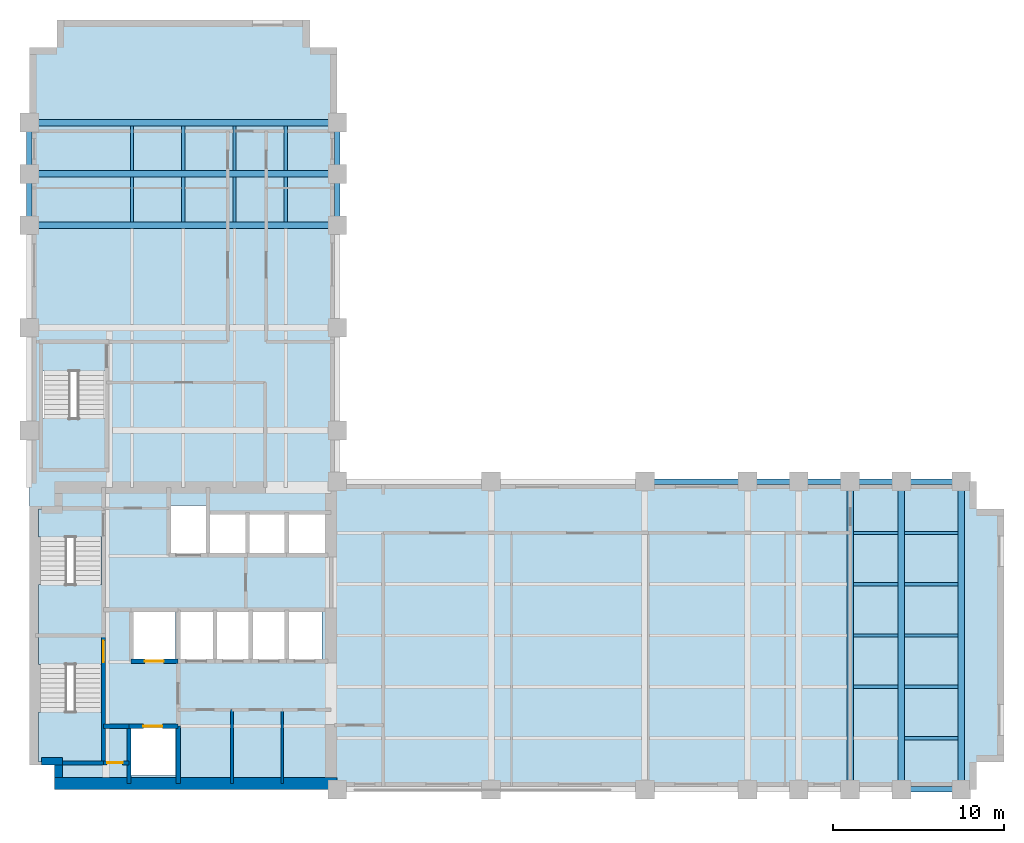
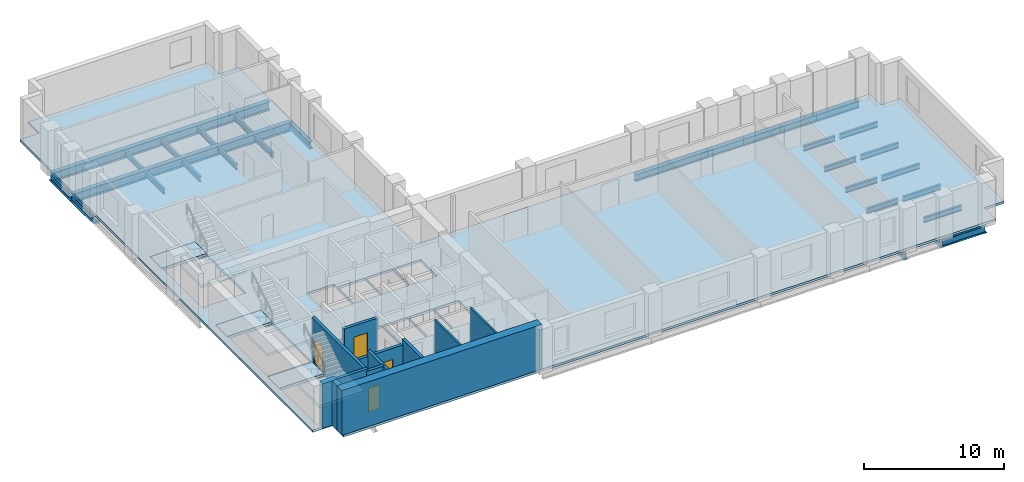
# One storey, part 2 of 7: 33 beams, 13 walls, 7 slabs, 4 doors, 4 openings, 3 elements without a shape of their own.
"""IFC4 building model written with IfcOpenShell, lengths in metres."""

from ifc_helpers import new_model, si_unit, direction, frame, frame_2d, origin, origin_2d, place, context, subcontext, project, spatial, polyline, rectangle, i_section, outline, extrude, material, layer, layer_set, material_profile, profile_set, type_object, element, fill, aggregate, save


model = new_model("IFC4")

# Units and contexts
model_context = context("Model", 3, precision=1e-05, world=origin(), true_north=direction((0.0, 1.0)))
body_context = subcontext(model_context, "Body", "Model", "MODEL_VIEW")
ifc_project = project(units=[si_unit("LENGTHUNIT", "METRE"), si_unit("AREAUNIT", "SQUARE_METRE"), si_unit("VOLUMEUNIT", "CUBIC_METRE"), si_unit("PLANEANGLEUNIT", "RADIAN"), si_unit("MASSUNIT", "GRAM", prefix="KILO")], contexts=[model_context])

# Site, building, storey
site_placement = place(None, origin())
site = spatial("IfcSite", under=ifc_project, at=site_placement, CompositionType="ELEMENT")
building_placement = place(site_placement, origin())
building = spatial("IfcBuilding", under=site, at=building_placement, Name="Mawjdan Bourse Tower", CompositionType="ELEMENT")
storey_placement = place(building_placement, frame((0.0, 0.0, 105.0)))
storey = spatial("IfcBuildingStorey", under=building, at=storey_placement, Name="L24", CompositionType="ELEMENT", Elevation=105.0)

# Beams
ifc_material_1 = material(Name="Structural Steel S355", Category="steel")
ifc_material_profile_1 = material_profile(ifc_material_1, i_section(OverallWidth=0.381103515625, OverallDepth=0.77294921875, WebThickness=0.0166015625, FlangeThickness=0.027099609375, FilletRadius=0.021728515625, at=origin_2d()), Name="W30X173")
ifc_profile_set_1 = profile_set([ifc_material_profile_1], Name="Structural Steel S355")
beam_type_1 = type_object("IfcBeamType", Name="GRD-W30X173", PredefinedType="BEAM", material=ifc_profile_set_1)
for number, where, z_axis, x_axis, name in (
    (1, (54.0, 3.0, -0.58642578125), (0.0, 1.0, 0.0), (-1.0, 0.0, 0.0), "L24 East Wing Clear-Span Girder 006"),
    (2, (57.0, 3.0, -0.58642578125), (0.0, 1.0, 0.0), (-1.0, 0.0, 0.0), "L24 East Wing Clear-Span Girder 007"),
    (3, (60.5, 3.0, -0.58642578125), (0.0, 1.0, 0.0), (-1.0, 0.0, 0.0), "L24 East Wing Clear-Span Girder 008"),
    (4, (6.0, 36.0, -0.58642578125), (1.0, 0.0, 0.0), (0.0, 1.0, 0.0), "L24 North Wing Clear-Span Girder 065"),
    (5, (6.0, 39.0, -0.58642578125), (1.0, 0.0, 0.0), (0.0, 1.0, 0.0), "L24 North Wing Clear-Span Girder 066"),
    (6, (6.0, 42.0, -0.58642578125), (1.0, 0.0, 0.0), (0.0, 1.0, 0.0), "L24 North Wing Clear-Span Girder 067"),
):
    element("IfcBeam", number, at=place(storey_placement, frame(where, z_axis=z_axis, x_axis=x_axis)), inside=storey, type_object=beam_type_1, Name=name, PredefinedType="BEAM", context=body_context, shape_type="SweptSolid", body=[
        extrude(i_section(OverallWidth=0.381103515625, OverallDepth=0.77294921875, WebThickness=0.0166015625, FlangeThickness=0.027099609375, FilletRadius=0.021728515625, at=origin_2d()), origin(), (0.0, 0.0, 1.0), 18.0),
    ])
ifc_material_profile_2 = material_profile(ifc_material_1, i_section(OverallWidth=0.19189453125, OverallDepth=0.462890625, WebThickness=0.010498046875, FlangeThickness=0.017578125, FilletRadius=0.01416015625, at=origin_2d()), Name="W18X60")
ifc_profile_set_2 = profile_set([ifc_material_profile_2], Name="Structural Steel S355")
beam_type_2 = type_object("IfcBeamType", Name="JST-W18X60", PredefinedType="JOIST", material=ifc_profile_set_2)
beam_1_placement = place(storey_placement, frame((57.1884765625, 6.0, -0.431396484375), z_axis=(1.0, 0.0, 0.0), x_axis=(0.0, 1.0, 0.0)))
element("IfcBeam", 7, at=beam_1_placement, inside=storey, type_object=beam_type_2, Name="L24 East Wing Composite Joist 029", PredefinedType="JOIST", context=body_context, shape_type="SweptSolid", body=[
    extrude(i_section(OverallWidth=0.19189453125, OverallDepth=0.462890625, WebThickness=0.010498046875, FlangeThickness=0.017578125, FilletRadius=0.01416015625, at=origin_2d()), origin(), (0.0, 0.0, 1.0), 3.123046875),
])
beam_2_placement = place(storey_placement, frame((54.1884765625, 9.0, -0.431396484375), z_axis=(1.0, 0.0, 0.0), x_axis=(0.0, 1.0, 0.0)))
element("IfcBeam", 8, at=beam_2_placement, inside=storey, type_object=beam_type_2, Name="L24 East Wing Composite Joist 035", PredefinedType="JOIST", context=body_context, shape_type="SweptSolid", body=[
    extrude(i_section(OverallWidth=0.19189453125, OverallDepth=0.462890625, WebThickness=0.010498046875, FlangeThickness=0.017578125, FilletRadius=0.01416015625, at=origin_2d()), origin(), (0.0, 0.0, 1.0), 2.623046875),
])
beam_3_placement = place(storey_placement, frame((57.1884765625, 9.0, -0.431396484375), z_axis=(1.0, 0.0, 0.0), x_axis=(0.0, 1.0, 0.0)))
element("IfcBeam", 9, at=beam_3_placement, inside=storey, type_object=beam_type_2, Name="L24 East Wing Composite Joist 036", PredefinedType="JOIST", context=body_context, shape_type="SweptSolid", body=[
    extrude(i_section(OverallWidth=0.19189453125, OverallDepth=0.462890625, WebThickness=0.010498046875, FlangeThickness=0.017578125, FilletRadius=0.01416015625, at=origin_2d()), origin(), (0.0, 0.0, 1.0), 3.123046875),
])
beam_4_placement = place(storey_placement, frame((54.1884765625, 12.0, -0.431396484375), z_axis=(1.0, 0.0, 0.0), x_axis=(0.0, 1.0, 0.0)))
element("IfcBeam", 10, at=beam_4_placement, inside=storey, type_object=beam_type_2, Name="L24 East Wing Composite Joist 042", PredefinedType="JOIST", context=body_context, shape_type="SweptSolid", body=[
    extrude(i_section(OverallWidth=0.19189453125, OverallDepth=0.462890625, WebThickness=0.010498046875, FlangeThickness=0.017578125, FilletRadius=0.01416015625, at=origin_2d()), origin(), (0.0, 0.0, 1.0), 2.623046875),
])
beam_5_placement = place(storey_placement, frame((57.1884765625, 12.0, -0.431396484375), z_axis=(1.0, 0.0, 0.0), x_axis=(0.0, 1.0, 0.0)))
element("IfcBeam", 11, at=beam_5_placement, inside=storey, type_object=beam_type_2, Name="L24 East Wing Composite Joist 043", PredefinedType="JOIST", context=body_context, shape_type="SweptSolid", body=[
    extrude(i_section(OverallWidth=0.19189453125, OverallDepth=0.462890625, WebThickness=0.010498046875, FlangeThickness=0.017578125, FilletRadius=0.01416015625, at=origin_2d()), origin(), (0.0, 0.0, 1.0), 3.123046875),
])
beam_6_placement = place(storey_placement, frame((54.1884765625, 15.0, -0.431396484375), z_axis=(1.0, 0.0, 0.0), x_axis=(0.0, 1.0, 0.0)))
element("IfcBeam", 12, at=beam_6_placement, inside=storey, type_object=beam_type_2, Name="L24 East Wing Composite Joist 049", PredefinedType="JOIST", context=body_context, shape_type="SweptSolid", body=[
    extrude(i_section(OverallWidth=0.19189453125, OverallDepth=0.462890625, WebThickness=0.010498046875, FlangeThickness=0.017578125, FilletRadius=0.01416015625, at=origin_2d()), origin(), (0.0, 0.0, 1.0), 2.623046875),
])
beam_7_placement = place(storey_placement, frame((57.1884765625, 15.0, -0.431396484375), z_axis=(1.0, 0.0, 0.0), x_axis=(0.0, 1.0, 0.0)))
element("IfcBeam", 13, at=beam_7_placement, inside=storey, type_object=beam_type_2, Name="L24 East Wing Composite Joist 050", PredefinedType="JOIST", context=body_context, shape_type="SweptSolid", body=[
    extrude(i_section(OverallWidth=0.19189453125, OverallDepth=0.462890625, WebThickness=0.010498046875, FlangeThickness=0.017578125, FilletRadius=0.01416015625, at=origin_2d()), origin(), (0.0, 0.0, 1.0), 3.123046875),
])
beam_8_placement = place(storey_placement, frame((54.1884765625, 18.0, -0.431396484375), z_axis=(1.0, 0.0, 0.0), x_axis=(0.0, 1.0, 0.0)))
element("IfcBeam", 14, at=beam_8_placement, inside=storey, type_object=beam_type_2, Name="L24 East Wing Composite Joist 056", PredefinedType="JOIST", context=body_context, shape_type="SweptSolid", body=[
    extrude(i_section(OverallWidth=0.19189453125, OverallDepth=0.462890625, WebThickness=0.010498046875, FlangeThickness=0.017578125, FilletRadius=0.01416015625, at=origin_2d()), origin(), (0.0, 0.0, 1.0), 2.623046875),
])
beam_9_placement = place(storey_placement, frame((57.1884765625, 18.0, -0.431396484375), z_axis=(1.0, 0.0, 0.0), x_axis=(0.0, 1.0, 0.0)))
element("IfcBeam", 15, at=beam_9_placement, inside=storey, type_object=beam_type_2, Name="L24 East Wing Composite Joist 057", PredefinedType="JOIST", context=body_context, shape_type="SweptSolid", body=[
    extrude(i_section(OverallWidth=0.19189453125, OverallDepth=0.462890625, WebThickness=0.010498046875, FlangeThickness=0.017578125, FilletRadius=0.01416015625, at=origin_2d()), origin(), (0.0, 0.0, 1.0), 3.123046875),
])
for number, where, z_axis, x_axis, name in (
    (16, (12.0, 36.1884765625, -0.431396484375), (0.0, 1.0, 0.0), (-1.0, 0.0, 0.0), "L24 North Wing Composite Joist 081"),
    (17, (12.0, 39.1884765625, -0.431396484375), (0.0, 1.0, 0.0), (-1.0, 0.0, 0.0), "L24 North Wing Composite Joist 082"),
    (18, (15.0, 36.1884765625, -0.431396484375), (0.0, 1.0, 0.0), (-1.0, 0.0, 0.0), "L24 North Wing Composite Joist 086"),
    (19, (15.0, 39.1884765625, -0.431396484375), (0.0, 1.0, 0.0), (-1.0, 0.0, 0.0), "L24 North Wing Composite Joist 087"),
    (20, (18.0, 36.1884765625, -0.431396484375), (0.0, 1.0, 0.0), (-1.0, 0.0, 0.0), "L24 North Wing Composite Joist 091"),
    (21, (18.0, 39.1884765625, -0.431396484375), (0.0, 1.0, 0.0), (-1.0, 0.0, 0.0), "L24 North Wing Composite Joist 092"),
    (22, (21.0, 36.1884765625, -0.431396484375), (0.0, 1.0, 0.0), (-1.0, 0.0, 0.0), "L24 North Wing Composite Joist 096"),
    (23, (21.0, 39.1884765625, -0.431396484375), (0.0, 1.0, 0.0), (-1.0, 0.0, 0.0), "L24 North Wing Composite Joist 097"),
):
    element("IfcBeam", number, at=place(storey_placement, frame(where, z_axis=z_axis, x_axis=x_axis)), inside=storey, type_object=beam_type_2, Name=name, PredefinedType="JOIST", context=body_context, shape_type="SweptSolid", body=[
        extrude(i_section(OverallWidth=0.19189453125, OverallDepth=0.462890625, WebThickness=0.010498046875, FlangeThickness=0.017578125, FilletRadius=0.01416015625, at=origin_2d()), origin(), (0.0, 0.0, 1.0), 2.623046875),
    ])
ifc_material_profile_3 = material_profile(ifc_material_1, i_section(OverallWidth=0.324951171875, OverallDepth=0.616943359375, WebThickness=0.013916015625, FlangeThickness=0.021484375, FilletRadius=0.017333984375, at=origin_2d()), Name="W24X117")
ifc_profile_set_3 = profile_set([ifc_material_profile_3], Name="Structural Steel S355")
beam_type_3 = type_object("IfcBeamType", Name="SPN-W24X117", PredefinedType="SPANDREL", material=ifc_profile_set_3)
beam_10_placement = place(storey_placement, frame((57.0, 3.0, -0.508544921875), z_axis=(1.0, 0.0, 0.0), x_axis=(0.0, 1.0, 0.0)))
element("IfcBeam", 24, at=beam_10_placement, inside=storey, type_object=beam_type_3, Name="L24 Perimeter Masonry-Shelf Spandrel 015", PredefinedType="SPANDREL", context=body_context, shape_type="SweptSolid", body=[
    extrude(i_section(OverallWidth=0.324951171875, OverallDepth=0.616943359375, WebThickness=0.013916015625, FlangeThickness=0.021484375, FilletRadius=0.017333984375, at=origin_2d()), origin(), (0.0, 0.0, 1.0), 3.5),
])
beam_11_placement = place(storey_placement, frame((42.0, 21.0, -0.508544921875), z_axis=(1.0, 0.0, 0.0), x_axis=(0.0, 1.0, 0.0)))
element("IfcBeam", 25, at=beam_11_placement, inside=storey, type_object=beam_type_3, Name="L24 Perimeter Masonry-Shelf Spandrel 018", PredefinedType="SPANDREL", context=body_context, shape_type="SweptSolid", body=[
    extrude(i_section(OverallWidth=0.324951171875, OverallDepth=0.616943359375, WebThickness=0.013916015625, FlangeThickness=0.021484375, FilletRadius=0.017333984375, at=origin_2d()), origin(), (0.0, 0.0, 1.0), 6.0),
])
for number, where, z_axis, x_axis, name in (
    (26, (48.0, 21.0, -0.508544921875), (1.0, 0.0, 0.0), (0.0, 1.0, 0.0), "L24 Perimeter Masonry-Shelf Spandrel 019"),
    (27, (51.0, 21.0, -0.508544921875), (1.0, 0.0, 0.0), (0.0, 1.0, 0.0), "L24 Perimeter Masonry-Shelf Spandrel 020"),
    (28, (54.0, 21.0, -0.508544921875), (1.0, 0.0, 0.0), (0.0, 1.0, 0.0), "L24 Perimeter Masonry-Shelf Spandrel 021"),
):
    element("IfcBeam", number, at=place(storey_placement, frame(where, z_axis=z_axis, x_axis=x_axis)), inside=storey, type_object=beam_type_3, Name=name, PredefinedType="SPANDREL", context=body_context, shape_type="SweptSolid", body=[
        extrude(i_section(OverallWidth=0.324951171875, OverallDepth=0.616943359375, WebThickness=0.013916015625, FlangeThickness=0.021484375, FilletRadius=0.017333984375, at=origin_2d()), origin(), (0.0, 0.0, 1.0), 3.0),
    ])
beam_12_placement = place(storey_placement, frame((57.0, 21.0, -0.508544921875), z_axis=(1.0, 0.0, 0.0), x_axis=(0.0, 1.0, 0.0)))
element("IfcBeam", 29, at=beam_12_placement, inside=storey, type_object=beam_type_3, Name="L24 Perimeter Masonry-Shelf Spandrel 022", PredefinedType="SPANDREL", context=body_context, shape_type="SweptSolid", body=[
    extrude(i_section(OverallWidth=0.324951171875, OverallDepth=0.616943359375, WebThickness=0.013916015625, FlangeThickness=0.021484375, FilletRadius=0.017333984375, at=origin_2d()), origin(), (0.0, 0.0, 1.0), 3.5),
])
for number, where, z_axis, x_axis, name in (
    (30, (6.0, 36.0, -0.508544921875), (0.0, 1.0, 0.0), (-1.0, 0.0, 0.0), "L24 North Wing Spandrel 071"),
    (31, (6.0, 39.0, -0.508544921875), (0.0, 1.0, 0.0), (-1.0, 0.0, 0.0), "L24 North Wing Spandrel 072"),
    (32, (24.0, 36.0, -0.508544921875), (0.0, 1.0, 0.0), (-1.0, 0.0, 0.0), "L24 North Wing Spandrel 076"),
    (33, (24.0, 39.0, -0.508544921875), (0.0, 1.0, 0.0), (-1.0, 0.0, 0.0), "L24 North Wing Spandrel 077"),
):
    element("IfcBeam", number, at=place(storey_placement, frame(where, z_axis=z_axis, x_axis=x_axis)), inside=storey, type_object=beam_type_3, Name=name, PredefinedType="SPANDREL", context=body_context, shape_type="SweptSolid", body=[
        extrude(i_section(OverallWidth=0.324951171875, OverallDepth=0.616943359375, WebThickness=0.013916015625, FlangeThickness=0.021484375, FilletRadius=0.017333984375, at=origin_2d()), origin(), (0.0, 0.0, 1.0), 3.0),
    ])

# Stair, slabs
ifc_material_2 = material(Name="Concrete C50/60", Category="concrete")
stair_type = type_object("IfcStairType", Name="STR-CORE-1500", PredefinedType="HALF_TURN_STAIR", material=ifc_material_2)
stair_1_placement = place(storey_placement, origin())
stair_1 = element("IfcStair", 34, at=stair_1_placement, inside=storey, type_object=stair_type, Name="L24 Exit Stair 1 (Core South-West)", PredefinedType="HALF_TURN_STAIR")
ifc_layer_1 = layer(ifc_material_2, 0.22998046875)
ifc_layer_set_1 = layer_set([ifc_layer_1], Name="Concrete C50/60")
slab_type_1 = type_object("IfcSlabType", Name="SL-LND-230", PredefinedType="LANDING", material=ifc_layer_set_1)
slab_1_placement = place(storey_placement, frame((0.0, 0.0, -0.22998046875)))
slab_1 = element("IfcSlab", 35, at=slab_1_placement, type_object=slab_type_1, Name="ST1-L24 landing 1", PredefinedType="LANDING", context=body_context, shape_type="SweptSolid", body=[
    extrude(outline(polyline([(6.5400390625, 10.31005859375), (10.260009765625, 10.31005859375), (10.260009765625, 11.969970703125), (6.5400390625, 11.969970703125), (6.5400390625, 10.31005859375)])), origin(), (0.0, 0.0, 1.0), 0.22998046875),
])
slab_2_placement = place(storey_placement, frame((0.0, 0.0, 1.719970703125)))
slab_2 = element("IfcSlab", 36, at=slab_2_placement, type_object=slab_type_1, Name="ST1-L24 landing 2", PredefinedType="LANDING", context=body_context, shape_type="SweptSolid", body=[
    extrude(outline(polyline([(6.5400390625, 4.590087890625), (10.260009765625, 4.590087890625), (10.260009765625, 7.5400390625), (6.5400390625, 7.5400390625), (6.5400390625, 4.590087890625)])), origin(), (0.0, 0.0, 1.0), 0.22998046875),
])
aggregate(stair_1, [slab_1, slab_2])

stair_2_placement = place(storey_placement, origin())
stair_2 = element("IfcStair", 37, at=stair_2_placement, inside=storey, type_object=stair_type, Name="L24 Exit Stair 2 (Core North-West)", PredefinedType="HALF_TURN_STAIR")
slab_3_placement = place(storey_placement, frame((0.0, 0.0, -0.22998046875)))
slab_3 = element("IfcSlab", 38, at=slab_3_placement, type_object=slab_type_1, Name="ST2-L24 landing 1", PredefinedType="LANDING", context=body_context, shape_type="SweptSolid", body=[
    extrude(outline(polyline([(6.5400390625, 17.75), (10.260009765625, 17.75), (10.260009765625, 19.409912109375), (6.5400390625, 19.409912109375), (6.5400390625, 17.75)])), origin(), (0.0, 0.0, 1.0), 0.22998046875),
])
slab_4_placement = place(storey_placement, frame((0.0, 0.0, 1.719970703125)))
slab_4 = element("IfcSlab", 39, at=slab_4_placement, type_object=slab_type_1, Name="ST2-L24 landing 2", PredefinedType="LANDING", context=body_context, shape_type="SweptSolid", body=[
    extrude(outline(polyline([(6.5400390625, 12.030029296875), (10.260009765625, 12.030029296875), (10.260009765625, 14.97998046875), (6.5400390625, 14.97998046875), (6.5400390625, 12.030029296875)])), origin(), (0.0, 0.0, 1.0), 0.22998046875),
])
aggregate(stair_2, [slab_3, slab_4])

stair_3_placement = place(storey_placement, origin())
stair_3 = element("IfcStair", 40, at=stair_3_placement, inside=storey, type_object=stair_type, Name="L24 Exit Stair 3 (North Wing)", PredefinedType="HALF_TURN_STAIR")
slab_5_placement = place(storey_placement, frame((0.0, 0.0, -0.22998046875)))
slab_5 = element("IfcSlab", 41, at=slab_5_placement, type_object=slab_type_1, Name="ST3-L24 landing 1", PredefinedType="LANDING", context=body_context, shape_type="SweptSolid", body=[
    extrude(outline(polyline([(6.739990234375, 27.4599609375), (10.4599609375, 27.4599609375), (10.4599609375, 29.1201171875), (6.739990234375, 29.1201171875), (6.739990234375, 27.4599609375)])), origin(), (0.0, 0.0, 1.0), 0.22998046875),
])
slab_6_placement = place(storey_placement, frame((0.0, 0.0, 1.719970703125)))
slab_6 = element("IfcSlab", 42, at=slab_6_placement, type_object=slab_type_1, Name="ST3-L24 landing 2", PredefinedType="LANDING", context=body_context, shape_type="SweptSolid", body=[
    extrude(outline(polyline([(6.739990234375, 21.739990234375), (10.4599609375, 21.739990234375), (10.4599609375, 24.68994140625), (6.739990234375, 24.68994140625), (6.739990234375, 21.739990234375)])), origin(), (0.0, 0.0, 1.0), 0.22998046875),
])
aggregate(stair_3, [slab_5, slab_6])

# Slab
ifc_layer_2 = layer(ifc_material_2, 0.199951171875)
ifc_layer_set_2 = layer_set([ifc_layer_2], Name="Concrete C50/60")
slab_type_2 = type_object("IfcSlabType", Name="SL-OFC-200", PredefinedType="FLOOR", material=ifc_layer_set_2)
slab_7_placement = place(storey_placement, frame((0.0, 0.0, -0.199951171875)))
element("IfcSlab", 43, at=slab_7_placement, inside=storey, type_object=slab_type_2, Name="L24 Structural Floor Slab 1", PredefinedType="FLOOR", context=body_context, shape_type="SweptSolid", body=[
    extrude(outline(polyline([(7.60009765625, 3.0), (61.39990234375, 3.0), (61.39990234375, 4.60009765625), (63.0, 4.60009765625), (63.0, 19.39990234375), (61.39990234375, 19.39990234375), (61.39990234375, 21.0), (24.0, 21.0), (24.0, 46.39990234375), (22.39990234375, 46.39990234375), (22.39990234375, 48.0), (7.60009765625, 48.0), (7.60009765625, 46.39990234375), (6.0, 46.39990234375), (6.0, 4.60009765625), (7.60009765625, 4.60009765625), (7.60009765625, 3.0)]), holes=[polyline([(11.949951171875, 3.800048828125), (11.949951171875, 6.60009765625), (14.550048828125, 6.60009765625), (14.550048828125, 3.800048828125), (11.949951171875, 3.800048828125)]), polyline([(6.60009765625, 10.31005859375), (6.5400390625, 10.31005859375), (6.5400390625, 11.969970703125), (10.260009765625, 11.969970703125), (10.260009765625, 10.31005859375), (10.199951171875, 10.31005859375), (10.199951171875, 4.64990234375), (6.60009765625, 4.64990234375), (6.60009765625, 10.31005859375)]), polyline([(12.050048828125, 10.60009765625), (12.050048828125, 13.39990234375), (14.550048828125, 13.39990234375), (14.550048828125, 10.60009765625), (12.050048828125, 10.60009765625)]), polyline([(10.260009765625, 19.409912109375), (10.260009765625, 17.75), (10.199951171875, 17.75), (10.199951171875, 12.090087890625), (6.60009765625, 12.090087890625), (6.60009765625, 17.75), (6.5400390625, 17.75), (6.5400390625, 19.409912109375), (10.260009765625, 19.409912109375)]), polyline([(10.4599609375, 29.1201171875), (10.4599609375, 27.4599609375), (10.39990234375, 27.4599609375), (10.39990234375, 21.800048828125), (6.800048828125, 21.800048828125), (6.800048828125, 27.4599609375), (6.739990234375, 27.4599609375), (6.739990234375, 29.1201171875), (10.4599609375, 29.1201171875)]), polyline([(14.800048828125, 10.60009765625), (14.800048828125, 13.39990234375), (16.800048828125, 13.39990234375), (16.800048828125, 10.60009765625), (14.800048828125, 10.60009765625)]), polyline([(16.89990234375, 10.60009765625), (16.89990234375, 13.39990234375), (18.89990234375, 13.39990234375), (18.89990234375, 10.60009765625), (16.89990234375, 10.60009765625)]), polyline([(19.0, 10.60009765625), (19.0, 13.39990234375), (21.0, 13.39990234375), (21.0, 10.60009765625), (19.0, 10.60009765625)]), polyline([(21.10009765625, 10.60009765625), (21.10009765625, 13.39990234375), (23.10009765625, 13.39990234375), (23.10009765625, 10.60009765625), (21.10009765625, 10.60009765625)]), polyline([(16.5, 16.800048828125), (16.5, 19.14990234375), (18.699951171875, 19.14990234375), (18.699951171875, 16.800048828125), (16.5, 16.800048828125)]), polyline([(18.800048828125, 16.800048828125), (18.800048828125, 19.14990234375), (21.0, 19.14990234375), (21.0, 16.800048828125), (18.800048828125, 16.800048828125)]), polyline([(21.10009765625, 16.800048828125), (21.10009765625, 19.14990234375), (23.300048828125, 19.14990234375), (23.300048828125, 16.800048828125), (21.10009765625, 16.800048828125)]), polyline([(14.199951171875, 16.800048828125), (14.199951171875, 19.60009765625), (16.39990234375, 19.60009765625), (16.39990234375, 16.800048828125), (14.199951171875, 16.800048828125)])]), origin(), (0.0, 0.0, 1.0), 0.199951171875),
])

# Walls
ifc_material_3 = material(Name="Concrete C60/75", Category="concrete")
ifc_layer_3 = layer(ifc_material_3, 0.449951171875)
ifc_layer_set_3 = layer_set([ifc_layer_3], Name="Concrete C60/75")
wall_type_1 = type_object("IfcWallType", Name="WL-CORE-450", PredefinedType="SHEAR", material=ifc_layer_set_3)
wall_1_placement = place(storey_placement, frame((6.699951171875, 4.64990234375, 0.0), z_axis=(0.0, 0.0, 1.0), x_axis=(1.0, 0.0, 0.0)))
element("IfcWall", 44, at=wall_1_placement, inside=storey, type_object=wall_type_1, Name="L24 Rear Core Shear Wall SW-X", PredefinedType="SHEAR", context=body_context, shape_type="SweptSolid", body=[
    extrude(rectangle(XDim=1.22509765625, YDim=0.449951171875, at=frame_2d((0.612548828125, 0.0))), origin(), (0.0, 0.0, 1.0), 3.89990234375),
])
wall_2_placement = place(storey_placement, frame((7.699951171875, 3.699951171875, 0.0), z_axis=(0.0, 0.0, 1.0), x_axis=(0.0, 1.0, 0.0)))
element("IfcWall", 45, at=wall_2_placement, inside=storey, type_object=wall_type_1, Name="L24 Rear Core Shear Wall SW-Y", PredefinedType="SHEAR", context=body_context, shape_type="SweptSolid", body=[
    extrude(rectangle(XDim=0.72509765625, YDim=0.449951171875, at=frame_2d((0.362548828125, 0.0))), origin(), (0.0, 0.0, 1.0), 3.89990234375),
])
ifc_material_4 = material(Name="Concrete C70/85", Category="concrete")
ifc_layer_4 = layer(ifc_material_4, 0.699951171875)
ifc_layer_set_4 = layer_set([ifc_layer_4], Name="Concrete C70/85")
wall_type_2 = type_object("IfcWallType", Name="WL-CORE-700", PredefinedType="SHEAR", material=ifc_layer_set_4)
wall_3_placement = place(storey_placement, frame((7.47509765625, 3.35009765625, 0.0), z_axis=(0.0, 0.0, 1.0), x_axis=(1.0, 0.0, 0.0)))
element("IfcWall", 46, at=wall_3_placement, inside=storey, type_object=wall_type_2, Name="L24 Rear Core Shear Wall S", PredefinedType="SHEAR", context=body_context, shape_type="SweptSolid", body=[
    extrude(rectangle(XDim=16.52490234375, YDim=0.699951171875, at=frame_2d((8.262451171875, 0.0))), origin(), (0.0, 0.0, 1.0), 3.89990234375),
])
ifc_material_5 = material(Name="Gypsum Acoustic Partition")
ifc_layer_5 = layer(ifc_material_5, 0.14990234375)
ifc_layer_set_5 = layer_set([ifc_layer_5], Name="Gypsum Acoustic Partition")
wall_type_3 = type_object("IfcWallType", Name="WL-PRT-150", PredefinedType="PARTITIONING", material=ifc_layer_set_5)
for number, where, z_axis, x_axis, name in (
    (47, (17.85009765625, 3.35009765625, 0.0), (0.0, 0.0, 1.0), (0.0, 1.0, 0.0), "L24 Electrical Switchboard Room Core Split Wall"),
    (48, (20.800048828125, 3.35009765625, 0.0), (0.0, 0.0, 1.0), (0.0, 1.0, 0.0), "L24 Staff Beverage Pantry Core Split Wall"),
):
    element("IfcWall", number, at=place(storey_placement, frame(where, z_axis=z_axis, x_axis=x_axis)), inside=storey, type_object=wall_type_3, Name=name, PredefinedType="PARTITIONING", context=body_context, shape_type="SweptSolid", body=[
        extrude(rectangle(XDim=4.309814453125, YDim=0.14990234375, at=frame_2d((2.15478515625, 0.0))), origin(), (0.0, 0.0, 1.0), 3.68994140625),
    ])

# Wall, opening, door
ifc_layer_6 = layer(ifc_material_2, 0.25)
ifc_layer_set_6 = layer_set([ifc_layer_6], Name="Concrete C50/60")
wall_type_4 = type_object("IfcWallType", Name="WL-SHFT-250", PredefinedType="PARTITIONING", material=ifc_layer_set_6)
wall_4_placement = place(storey_placement, frame((10.330078125, 4.550048828125, 0.0), z_axis=(0.0, 0.0, 1.0), x_axis=(1.0, 0.0, 0.0)))
wall_4 = element("IfcWall", 49, at=wall_4_placement, inside=storey, type_object=wall_type_4, Name="L24 SW Riser North Wall", PredefinedType="PARTITIONING", context=body_context, shape_type="SweptSolid", body=[
    extrude(rectangle(XDim=1.489990234375, YDim=0.25, at=frame_2d((0.7451171875, 0.0))), origin(), (0.0, 0.0, 1.0), 3.68994140625),
])
opening_1_placement = place(wall_4_placement, frame((0.219970703125, 0.0, 0.0)))
opening_1 = element("IfcOpeningElement", 50, at=opening_1_placement, cuts=wall_4, Name="Opening RD-L24-03", PredefinedType="OPENING", context=body_context, shape_type="SweptSolid", body=[
    extrude(rectangle(XDim=0.89990234375, YDim=2.10009765625, at=frame_2d((0.449951171875, 1.050048828125))), frame((0.0, 0.135009765625, 0.0), z_axis=(0.0, -1.0, 0.0), x_axis=(1.0, 0.0, 0.0)), (0.0, 0.0, 1.0), 0.27001953125),
])
ifc_material_6 = material(Name="Fire-Rated Steel Access Leaf", Category="steel")
door_type_1 = type_object("IfcDoorType", Name="FD-RSR-0900", OperationType="NOTDEFINED", PredefinedType="TRAPDOOR", material=ifc_material_6)
door_1_placement = place(opening_1_placement, origin())
door_1 = element("IfcDoor", 51, at=door_1_placement, inside=storey, type_object=door_type_1, Name="L24 Electrical Riser Access Door RD-L24-03", OperationType="SINGLE_SWING_LEFT", OverallHeight=2.10009765625, OverallWidth=0.89990234375, PredefinedType="TRAPDOOR", context=body_context, shape_type="SweptSolid", body=[
    extrude(rectangle(XDim=0.89990234375, YDim=2.10009765625, at=frame_2d((0.449951171875, 1.050048828125))), frame((0.0, 0.02490234375, 0.0), z_axis=(0.0, -1.0, 0.0), x_axis=(1.0, 0.0, 0.0)), (0.0, 0.0, 1.0), 0.050048828125),
])
fill(opening_1, door_1)

# Wall
wall_5_placement = place(storey_placement, frame((11.820068359375, 3.35009765625, 0.0), z_axis=(0.0, 0.0, 1.0), x_axis=(0.0, 1.0, 0.0)))
element("IfcWall", 52, at=wall_5_placement, inside=storey, type_object=wall_type_4, Name="L24 SW Riser & FFL01 West Wall", PredefinedType="PARTITIONING", context=body_context, shape_type="SweptSolid", body=[
    extrude(rectangle(XDim=3.349853515625, YDim=0.25, at=frame_2d((1.6748046875, 0.0))), origin(), (0.0, 0.0, 1.0), 3.68994140625),
])

# Wall, opening, door
wall_6_placement = place(storey_placement, frame((11.820068359375, 6.699951171875, 0.0), z_axis=(0.0, 0.0, 1.0), x_axis=(1.0, 0.0, 0.0)))
wall_6 = element("IfcWall", 53, at=wall_6_placement, inside=storey, type_object=wall_type_4, Name="L24 FFL-01 Front Shaft Wall", PredefinedType="PARTITIONING", context=body_context, shape_type="SweptSolid", body=[
    extrude(rectangle(XDim=2.8798828125, YDim=0.25, at=frame_2d((1.43994140625, 0.0))), origin(), (0.0, 0.0, 1.0), 3.22705078125),
])
opening_2_placement = place(wall_6_placement, frame((0.85009765625, 0.0, 0.0)))
opening_2 = element("IfcOpeningElement", 54, at=opening_2_placement, cuts=wall_6, Name="Opening LD-L24-05", PredefinedType="OPENING", context=body_context, shape_type="SweptSolid", body=[
    extrude(rectangle(XDim=1.10009765625, YDim=2.25, at=frame_2d((0.550048828125, 1.125))), frame((0.0, 0.135009765625, 0.0), z_axis=(0.0, -1.0, 0.0), x_axis=(1.0, 0.0, 0.0)), (0.0, 0.0, 1.0), 0.27001953125),
])
ifc_material_7 = material(Name="Brushed Stainless Steel", Category="steel")
door_type_2 = type_object("IfcDoorType", Name="LD-FFL-1100", OperationType="DOUBLE_DOOR_SLIDING", PredefinedType="DOOR", material=ifc_material_7)
door_2_placement = place(opening_2_placement, origin())
door_2 = element("IfcDoor", 55, at=door_2_placement, inside=storey, type_object=door_type_2, Name="L24 Firefighting Lift FFL-01 Landing Door LD-L24-05", OperationType="DOUBLE_DOOR_SLIDING", OverallHeight=2.25, OverallWidth=1.10009765625, PredefinedType="DOOR", context=body_context, shape_type="SweptSolid", body=[
    extrude(rectangle(XDim=1.10009765625, YDim=2.25, at=frame_2d((0.550048828125, 1.125))), frame((0.0, 0.02490234375, 0.0), z_axis=(0.0, -1.0, 0.0), x_axis=(1.0, 0.0, 0.0)), (0.0, 0.0, 1.0), 0.050048828125),
])
fill(opening_2, door_2)

# Wall
wall_7_placement = place(storey_placement, frame((14.699951171875, 3.35009765625, 0.0), z_axis=(0.0, 0.0, 1.0), x_axis=(0.0, 1.0, 0.0)))
element("IfcWall", 56, at=wall_7_placement, inside=storey, type_object=wall_type_4, Name="L24 FFL-01 East Shaft Wall", PredefinedType="PARTITIONING", context=body_context, shape_type="SweptSolid", body=[
    extrude(rectangle(XDim=3.349853515625, YDim=0.25, at=frame_2d((1.6748046875, 0.0))), origin(), (0.0, 0.0, 1.0), 3.68994140625),
])

# Wall, opening, door
wall_8_placement = place(storey_placement, frame((11.949951171875, 10.5, 0.0), z_axis=(0.0, 0.0, 1.0), x_axis=(1.0, 0.0, 0.0)))
wall_8 = element("IfcWall", 57, at=wall_8_placement, inside=storey, type_object=wall_type_4, Name="L24 FFL-02 Front Shaft Wall", PredefinedType="PARTITIONING", context=body_context, shape_type="SweptSolid", body=[
    extrude(rectangle(XDim=2.75, YDim=0.25, at=frame_2d((1.375, 0.0))), origin(), (0.0, 0.0, 1.0), 3.22705078125),
])
opening_3_placement = place(wall_8_placement, frame((0.800048828125, 0.0, 0.0)))
opening_3 = element("IfcOpeningElement", 58, at=opening_3_placement, cuts=wall_8, Name="Opening LD-L24-06", PredefinedType="OPENING", context=body_context, shape_type="SweptSolid", body=[
    extrude(rectangle(XDim=1.10009765625, YDim=2.25, at=frame_2d((0.550048828125, 1.125))), frame((0.0, 0.135009765625, 0.0), z_axis=(0.0, -1.0, 0.0), x_axis=(1.0, 0.0, 0.0)), (0.0, 0.0, 1.0), 0.27001953125),
])
door_3_placement = place(opening_3_placement, origin())
door_3 = element("IfcDoor", 59, at=door_3_placement, inside=storey, type_object=door_type_2, Name="L24 Firefighting Lift FFL-02 Landing Door LD-L24-06", OperationType="DOUBLE_DOOR_SLIDING", OverallHeight=2.25, OverallWidth=1.10009765625, PredefinedType="DOOR", context=body_context, shape_type="SweptSolid", body=[
    extrude(rectangle(XDim=1.10009765625, YDim=2.25, at=frame_2d((0.550048828125, 1.125))), frame((0.0, 0.02490234375, 0.0), z_axis=(0.0, -1.0, 0.0), x_axis=(1.0, 0.0, 0.0)), (0.0, 0.0, 1.0), 0.050048828125),
])
fill(opening_3, door_3)

# Walls
wall_9_placement = place(storey_placement, frame((10.330078125, 6.699951171875, 0.0), z_axis=(0.0, 0.0, 1.0), x_axis=(1.0, 0.0, 0.0)))
element("IfcWall", 60, at=wall_9_placement, inside=storey, type_object=wall_type_4, Name="L24 Firefighting Lobby South Closure Wall", PredefinedType="PARTITIONING", context=body_context, shape_type="SweptSolid", body=[
    extrude(rectangle(XDim=1.489990234375, YDim=0.25, at=frame_2d((0.7451171875, 0.0))), origin(), (0.0, 0.0, 1.0), 3.22705078125),
])
ifc_layer_7 = layer(ifc_material_2, 0.25)
ifc_layer_set_7 = layer_set([ifc_layer_7], Name="Concrete C50/60")
wall_type_5 = type_object("IfcWallType", Name="WL-STRW-250", PredefinedType="SHEAR", material=ifc_layer_set_7)
wall_10_placement = place(storey_placement, frame((7.699951171875, 4.550048828125, 0.0), z_axis=(0.0, 0.0, 1.0), x_axis=(1.0, 0.0, 0.0)))
element("IfcWall", 61, at=wall_10_placement, inside=storey, type_object=wall_type_5, Name="L24 Stairwell ST1 South Shaft Wall", PredefinedType="SHEAR", context=body_context, shape_type="SweptSolid", body=[
    extrude(rectangle(XDim=2.755126953125, YDim=0.25, at=frame_2d((1.37744140625, 0.0))), origin(), (0.0, 0.0, 1.0), 3.89990234375),
])

# Wall, opening, door
wall_11_placement = place(storey_placement, frame((10.330078125, 4.550048828125, 0.0), z_axis=(0.0, 0.0, 1.0), x_axis=(0.0, 1.0, 0.0)))
wall_11 = element("IfcWall", 62, at=wall_11_placement, inside=storey, type_object=wall_type_5, Name="L24 Stairwell ST1 East Enclosure Wall", PredefinedType="SHEAR", context=body_context, shape_type="SweptSolid", body=[
    extrude(rectangle(XDim=7.449951171875, YDim=0.25, at=frame_2d((3.72509765625, 0.0))), origin(), (0.0, 0.0, 1.0), 3.89990234375),
])
opening_4_placement = place(wall_11_placement, frame((5.89990234375, 0.0, 0.0)))
opening_4 = element("IfcOpeningElement", 63, at=opening_4_placement, cuts=wall_11, Name="Opening SD-L24-01", PredefinedType="OPENING", context=body_context, shape_type="SweptSolid", body=[
    extrude(rectangle(XDim=1.25, YDim=2.199951171875, at=frame_2d((0.625, 1.10009765625))), frame((0.0, 0.135009765625, 0.0), z_axis=(0.0, -1.0, 0.0), x_axis=(1.0, 0.0, 0.0)), (0.0, 0.0, 1.0), 0.27001953125),
])
ifc_material_8 = material(Name="Fire-Rated Steel Leaf", Category="steel")
door_type_3 = type_object("IfcDoorType", Name="FD-ST-1250", OperationType="NOTDEFINED", PredefinedType="DOOR", material=ifc_material_8)
door_4_placement = place(opening_4_placement, origin())
door_4 = element("IfcDoor", 64, at=door_4_placement, inside=storey, type_object=door_type_3, Name="L24 Exit Stair ST1 Fire Door SD-L24-01", OperationType="SINGLE_SWING_LEFT", OverallHeight=2.199951171875, OverallWidth=1.25, PredefinedType="DOOR", context=body_context, shape_type="SweptSolid", body=[
    extrude(rectangle(XDim=1.25, YDim=2.199951171875, at=frame_2d((0.625, 1.10009765625))), frame((0.0, 0.02490234375, 0.0), z_axis=(0.0, -1.0, 0.0), x_axis=(1.0, 0.0, 0.0)), (0.0, 0.0, 1.0), 0.050048828125),
])
fill(opening_4, door_4)

save(model, "model.ifc")
